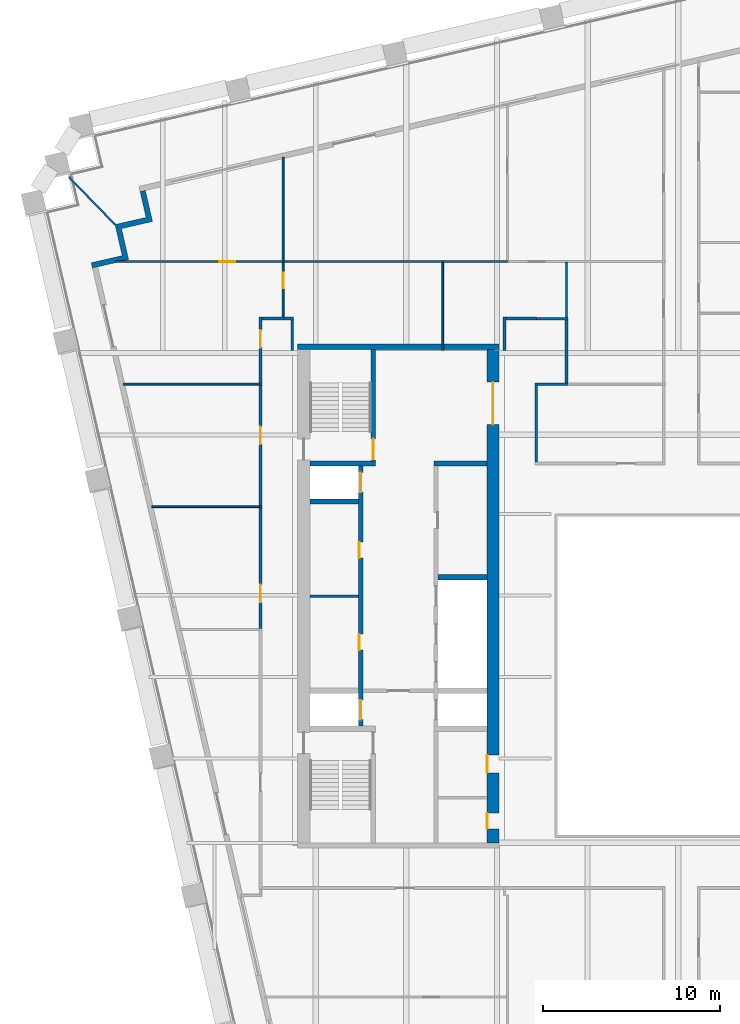
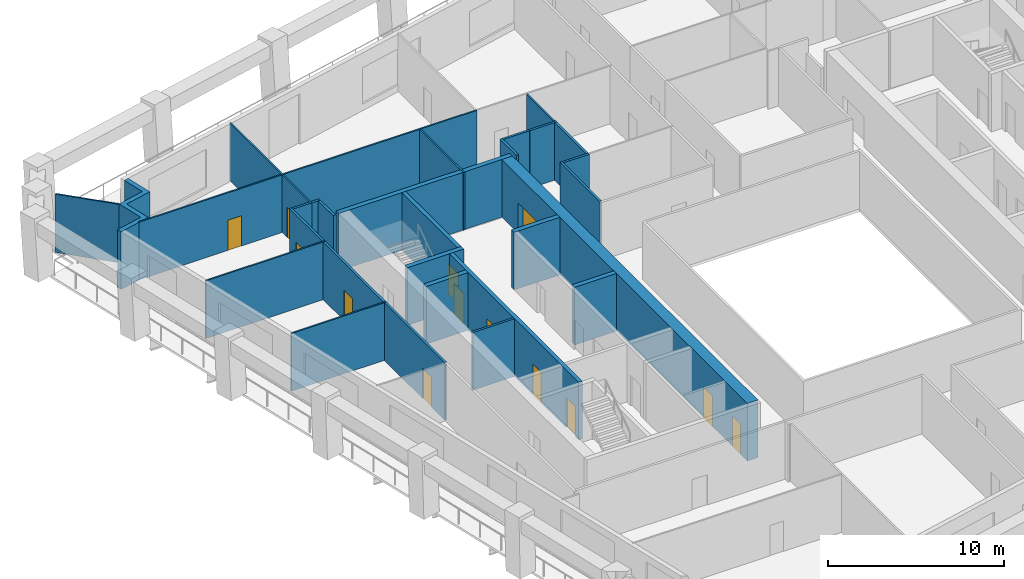
# One storey, part 6 of 11: 32 walls, 13 doors, 13 openings.
"""IFC4 building model written with IfcOpenShell, lengths in metres."""

import ifcopenshell
import ifcopenshell.guid

model = None  # the IFC model being written
_history = None  # IfcOwnerHistory: only IFC2X3 demands one
_inside = {}  # id of a spatial element -> (the spatial element, [elements in it])
_under = {}  # id of a project, library or spatial element -> (it, [spatial elements below it])
_declared = {}  # id of a project -> (the project, [libraries it declares])
_typed = {}  # id of a type object -> (the type object, [elements of that type])
_made_of = {}  # id of a material, layer set ... -> (it, [elements and type objects made of it])


def new_model(schema):
    """Start an empty IFC model of exactly this schema.

    Asked for "IFC4X3", IfcOpenShell would pick the latest addendum, in which some entities
    have other attributes; the version numbers below select the first issue.
    IFC2X3 requires an IfcOwnerHistory on every rooted entity: one is made here for all.
    """
    global model, _history
    if schema == "IFC4X3":
        model = ifcopenshell.file(schema_version=(4, 3, 0, 0))
    else:
        model = ifcopenshell.file(schema=schema)
    _inside.clear()
    _under.clear()
    _declared.clear()
    _typed.clear()
    _made_of.clear()
    _history = None
    if model.schema == "IFC2X3":
        org = make("IfcOrganization", Name="unknown")
        user = make(
            "IfcPersonAndOrganization",
            ThePerson=make("IfcPerson", FamilyName="unknown"),
            TheOrganization=org,
        )
        app = make(
            "IfcApplication",
            ApplicationDeveloper=org,
            Version="unknown",
            ApplicationFullName="unknown",
            ApplicationIdentifier="unknown",
        )
        _history = make(
            "IfcOwnerHistory",
            OwningUser=user,
            OwningApplication=app,
            ChangeAction="ADDED",
            CreationDate=0,
        )
    return model


def make(cls, **values):
    """One entity of the class cls with the attributes given. An attribute that is None is left unset."""
    return model.create_entity(
        cls, **{name: value for name, value in values.items() if value is not None}
    )


def rooted(cls, **values):
    """An entity with a GlobalId (a new one), such as an element, a storey or a relation."""
    return make(cls, GlobalId=ifcopenshell.guid.new(), OwnerHistory=_history, **values)


def si_unit(unit_type, name, prefix=None):
    """IfcSIUnit, for example si_unit("LENGTHUNIT", "METRE", prefix="MILLI")."""
    return make("IfcSIUnit", UnitType=unit_type, Prefix=prefix, Name=name)


def assignment(units):
    """IfcUnitAssignment: the units of a project."""
    return None if units is None else make("IfcUnitAssignment", Units=units)


def point(xyz):
    """IfcCartesianPoint."""
    return None if xyz is None else make("IfcCartesianPoint", Coordinates=xyz)


def direction(xyz):
    """IfcDirection."""
    return None if xyz is None else make("IfcDirection", DirectionRatios=xyz)


def frame(location, z_axis=None, x_axis=None):
    """IfcAxis2Placement3D, a coordinate frame: its origin and axes. An axis left out is left unset."""
    return make(
        "IfcAxis2Placement3D",
        Location=point(location),
        Axis=direction(z_axis),
        RefDirection=direction(x_axis),
    )


def frame_2d(location, x_axis=None):
    """IfcAxis2Placement2D, a coordinate frame in the plane: its origin and x axis."""
    return make(
        "IfcAxis2Placement2D", Location=point(location), RefDirection=direction(x_axis)
    )


def origin():
    """The frame at (0, 0, 0) with its axes left unset."""
    return frame((0.0, 0.0, 0.0))


def place(relative_to, where):
    """IfcLocalPlacement: puts the frame where relative to a parent placement (None: the world)."""
    return make(
        "IfcLocalPlacement", PlacementRelTo=relative_to, RelativePlacement=where
    )


def context(
    kind, dimensions, precision=None, world=None, true_north=None, identifier=None
):
    """IfcGeometricRepresentationContext, for example the 3D "Model" context."""
    return make(
        "IfcGeometricRepresentationContext",
        ContextIdentifier=identifier,
        ContextType=kind,
        CoordinateSpaceDimension=dimensions,
        Precision=precision,
        WorldCoordinateSystem=world,
        TrueNorth=true_north,
    )


def subcontext(parent, identifier, kind, view, scale=None):
    """IfcGeometricRepresentationSubContext, for example "Body" below "Model"."""
    return make(
        "IfcGeometricRepresentationSubContext",
        ContextIdentifier=identifier,
        ContextType=kind,
        ParentContext=parent,
        TargetScale=scale,
        TargetView=view,
    )


def project(units=None, contexts=None):
    """IfcProject with its units and contexts."""
    return rooted(
        "IfcProject",
        Name="project",
        RepresentationContexts=contexts,
        UnitsInContext=assignment(units),
    )


def spatial(cls, under=None, at=None, **own):
    """A site, building, storey or space (cls), placed at a placement, below another one or the project."""
    s = rooted(cls, ObjectPlacement=at, **own)
    if under is not None:
        _under.setdefault(under.id(), (under, []))[1].append(s)
    return s


def polyline(points):
    """IfcPolyline through the points."""
    return make("IfcPolyline", Points=[point(p) for p in points])


def profile(cls, at=None, kind="AREA", **sizes):
    """A parametric profile (cls). Its sizes go by their IFC names, for example OverallWidth=200.0."""
    return make(cls, ProfileType=kind, Position=at, **sizes)


def rectangle(**sizes):
    """IfcRectangleProfileDef."""
    return profile("IfcRectangleProfileDef", **sizes)


def outline(outer, holes=None, kind="AREA"):
    """IfcArbitraryClosedProfileDef: a profile drawn as a closed curve; with holes, ...WithVoids."""
    if holes is None:
        return make("IfcArbitraryClosedProfileDef", ProfileType=kind, OuterCurve=outer)
    return make(
        "IfcArbitraryProfileDefWithVoids",
        ProfileType=kind,
        OuterCurve=outer,
        InnerCurves=holes,
    )


def extrude(swept, where, along, depth):
    """IfcExtrudedAreaSolid: the profile swept, set in the frame where, extruded along a direction by depth."""
    return make(
        "IfcExtrudedAreaSolid",
        SweptArea=swept,
        Position=where,
        ExtrudedDirection=direction(along),
        Depth=depth,
    )


def shape(context_of_items, identifier, shape_type, items):
    """IfcShapeRepresentation: the items that make up one representation, for example the "Body"."""
    return make(
        "IfcShapeRepresentation",
        ContextOfItems=context_of_items,
        RepresentationIdentifier=identifier,
        RepresentationType=shape_type,
        Items=items,
    )


def material(Name=None, Category=None):
    """IfcMaterial."""
    return make("IfcMaterial", Name=Name, Category=Category)


def layer(
    of_material, thickness, ventilated=None, Name=None, Category=None, Priority=None
):
    """IfcMaterialLayer: one layer of a wall or slab, of a material (None: an air gap)."""
    return make(
        "IfcMaterialLayer",
        Material=of_material,
        LayerThickness=thickness,
        IsVentilated=ventilated,
        Name=Name,
        Category=Category,
        Priority=Priority,
    )


def layer_set(layers, Name=None):
    """IfcMaterialLayerSet."""
    return make("IfcMaterialLayerSet", MaterialLayers=layers, LayerSetName=Name)


def made_of(thing, what):
    """Note that an element or type object is made of a material, layer set ...; save() writes the relation."""
    if what is not None:
        _made_of.setdefault(what.id(), (what, []))[1].append(thing)
    return thing


def type_object(cls, material=None, **own):
    """A type object (cls), such as IfcWallType, which elements share."""
    return made_of(rooted(cls, **own), material)


def element(
    cls,
    number,
    at=None,
    inside=None,
    cuts=None,
    type_object=None,
    material=None,
    context=None,
    identifier="Body",
    shape_type=None,
    held_by="IfcProductDefinitionShape",
    body=None,
    shapes=None,
    **own,
):
    """One element of the class cls, such as IfcWall. Its Tag is "e" and its number.

    at: its placement. inside: the storey or other place that contains it. cuts: it is an
    opening in that element (IfcRelVoidsElement). A single representation is given by context,
    identifier, shape_type and body (its items); several are given by shapes. held_by: the class
    of the entity that holds the representations. save() writes the other relations.
    """
    e = rooted(cls, Tag="e%d" % number, ObjectPlacement=at, **own)
    if body is not None:
        shapes = [shape(context, identifier, shape_type, body)]
    if shapes is not None:
        e.Representation = make(held_by, Representations=shapes)
    if inside is not None:
        _inside.setdefault(inside.id(), (inside, []))[1].append(e)
    if cuts is not None:
        rooted(
            "IfcRelVoidsElement", RelatingBuildingElement=cuts, RelatedOpeningElement=e
        )
    if type_object is not None:
        _typed.setdefault(type_object.id(), (type_object, []))[1].append(e)
    return made_of(e, material)


def fill(opening, filler):
    """IfcRelFillsElement: the door or window that sits in an opening."""
    return rooted(
        "IfcRelFillsElement",
        RelatingOpeningElement=opening,
        RelatedBuildingElement=filler,
    )


def aggregate(whole, parts):
    """IfcRelAggregates: a whole, such as a stair, and the parts it consists of."""
    return rooted("IfcRelAggregates", RelatingObject=whole, RelatedObjects=parts)


def save(model, path):
    """Write the relations noted so far, then the file.

    IfcRelAggregates (storeys below a building ...), IfcRelContainedInSpatialStructure (elements
    in a storey), IfcRelDefinesByType, IfcRelAssociatesMaterial and IfcRelDeclares: one each for
    every whole, place, type object, material and project.
    """
    for whole, parts in _under.values():
        aggregate(whole, parts)
    for where, things in _inside.values():
        rooted(
            "IfcRelContainedInSpatialStructure",
            RelatedElements=things,
            RelatingStructure=where,
        )
    for kind, things in _typed.values():
        rooted("IfcRelDefinesByType", RelatedObjects=things, RelatingType=kind)
    for what, things in _made_of.values():
        rooted("IfcRelAssociatesMaterial", RelatedObjects=things, RelatingMaterial=what)
    for by, libraries in _declared.values():
        rooted("IfcRelDeclares", RelatingContext=by, RelatedDefinitions=libraries)
    model.write(path)


model = new_model("IFC4")

# Units and contexts
model_context = context("Model", 3, precision=1e-05, world=origin(), true_north=direction((0.0, 1.0)))
body_context = subcontext(model_context, "Body", "Model", "MODEL_VIEW")
ifc_project = project(units=[si_unit("LENGTHUNIT", "METRE"), si_unit("AREAUNIT", "SQUARE_METRE"), si_unit("VOLUMEUNIT", "CUBIC_METRE"), si_unit("PLANEANGLEUNIT", "RADIAN"), si_unit("MASSUNIT", "GRAM", prefix="KILO")], contexts=[model_context])

# Site, building, storey
site_placement = place(None, origin())
site = spatial("IfcSite", under=ifc_project, at=site_placement, CompositionType="ELEMENT")
building_placement = place(site_placement, origin())
building = spatial("IfcBuilding", under=site, at=building_placement, Name="Ogive Exchange Tower", CompositionType="ELEMENT")
storey_placement = place(building_placement, frame((0.0, 0.0, 184.199951171875)))
storey = spatial("IfcBuildingStorey", under=building, at=storey_placement, Name="L40", CompositionType="ELEMENT", Elevation=184.199951171875)

# Walls
ifc_material_1 = material(Name="Gypsum board partition")
ifc_layer_1 = layer(ifc_material_1, 0.14990234375)
ifc_layer_set_1 = layer_set([ifc_layer_1], Name="Core room partition 150 gypsum")
wall_type_1 = type_object("IfcWallType", Name="Core room partition 150 gypsum", PredefinedType="PARTITIONING", material=ifc_layer_set_1)
wall_1_placement = place(storey_placement, frame((-21.0, 11.5, 0.0), z_axis=(0.0, 0.0, 1.0), x_axis=(1.0, 0.0, 0.0)))
element("IfcWall", 1, at=wall_1_placement, inside=storey, type_object=wall_type_1, Name="W row A bay partition 1-1", PredefinedType="PARTITIONING", context=body_context, shape_type="SweptSolid", body=[
    extrude(rectangle(XDim=2.75, YDim=0.14990234375, at=frame_2d((1.375, 0.0))), origin(), (0.0, 0.0, 1.0), 4.0),
])
ifc_layer_2 = layer(ifc_material_1, 0.300048828125)
ifc_layer_set_2 = layer_set([ifc_layer_2], Name="Core room partition 300 gypsum")
wall_type_2 = type_object("IfcWallType", Name="Core room partition 300 gypsum", PredefinedType="PARTITIONING", material=ifc_layer_set_2)
wall_2_placement = place(storey_placement, frame((-14.0, 19.0, 0.0), z_axis=(0.0, 0.0, 1.0), x_axis=(1.0, 0.0, 0.0)))
element("IfcWall", 2, at=wall_2_placement, inside=storey, type_object=wall_type_2, Name="W row B room end wall 7", PredefinedType="PARTITIONING", context=body_context, shape_type="SweptSolid", body=[
    extrude(rectangle(XDim=3.0, YDim=0.300048828125, at=frame_2d((1.5, 0.0))), origin(), (0.0, 0.0, 1.0), 4.0),
])

# Wall, opening, door
ifc_material_2 = material(Name="Fire partition EI 60 150")
ifc_layer_3 = layer(ifc_material_2, 0.14990234375)
ifc_layer_set_3 = layer_set([ifc_layer_3], Name="Fire partition EI 60 150")
wall_type_3 = type_object("IfcWallType", Name="Fire partition EI 60 150", PredefinedType="PARTITIONING", material=ifc_layer_set_3)
wall_3_placement = place(storey_placement, frame((-23.800048828125, 9.669921875, 0.0), z_axis=(0.0, 0.0, 1.0), x_axis=(0.0, 1.0, 0.0)))
wall_3 = element("IfcWall", 3, at=wall_3_placement, inside=storey, type_object=wall_type_3, Name="L40-PWL-005", PredefinedType="PARTITIONING", context=body_context, shape_type="SweptSolid", body=[
    extrude(rectangle(XDim=6.830078125, YDim=0.14990234375, at=frame_2d((3.4150390625, 0.0))), origin(), (0.0, 0.0, 1.0), 4.0),
])
opening_1_placement = place(wall_3_placement, frame((1.47998046875, 0.0, 0.0)))
opening_1 = element("IfcOpeningElement", 4, at=opening_1_placement, cuts=wall_3, Name="Opening L40-I01", PredefinedType="OPENING", context=body_context, shape_type="SweptSolid", body=[
    extrude(rectangle(XDim=1.0, YDim=2.10009765625, at=frame_2d((0.5, 1.050048828125))), frame((0.0, 0.0849609375, 0.0), z_axis=(0.0, -1.0, 0.0), x_axis=(1.0, 0.0, 0.0)), (0.0, 0.0, 1.0), 0.169921875),
])
ifc_material_3 = material(Name="Fire door FD 30S 1000 x 2100")
door_type_1 = type_object("IfcDoorType", Name="Fire door FD 30S 1000 x 2100", OperationType="NOTDEFINED", PredefinedType="DOOR", material=ifc_material_3)
door_1_placement = place(opening_1_placement, origin())
door_1 = element("IfcDoor", 5, at=door_1_placement, inside=storey, type_object=door_type_1, Name="L40-IDR-001", ObjectType="DT3", OperationType="SINGLE_SWING_RIGHT", OverallHeight=2.10009765625, OverallWidth=1.0, PredefinedType="DOOR", context=body_context, shape_type="SweptSolid", body=[
    extrude(rectangle(XDim=1.0, YDim=2.10009765625, at=frame_2d((0.5, 1.050048828125))), frame((0.0, 0.02490234375, 0.0), z_axis=(0.0, -1.0, 0.0), x_axis=(1.0, 0.0, 0.0)), (0.0, 0.0, 1.0), 0.050048828125),
])
fill(opening_1, door_1)

wall_4_placement = place(storey_placement, frame((-23.800048828125, 16.60009765625, 0.0), z_axis=(0.0, 0.0, 1.0), x_axis=(0.0, 1.0, 0.0)))
wall_4 = element("IfcWall", 6, at=wall_4_placement, inside=storey, type_object=wall_type_3, Name="L40-PWL-006", PredefinedType="PARTITIONING", context=body_context, shape_type="SweptSolid", body=[
    extrude(rectangle(XDim=6.83984375, YDim=0.14990234375, at=frame_2d((3.419921875, 0.0))), origin(), (0.0, 0.0, 1.0), 4.0),
])
opening_2_placement = place(wall_4_placement, frame((3.489990234375, 0.0, 0.0)))
opening_2 = element("IfcOpeningElement", 7, at=opening_2_placement, cuts=wall_4, Name="Opening L40-I02", PredefinedType="OPENING", context=body_context, shape_type="SweptSolid", body=[
    extrude(rectangle(XDim=1.0, YDim=2.10009765625, at=frame_2d((0.5, 1.050048828125))), frame((0.0, 0.0849609375, 0.0), z_axis=(0.0, -1.0, 0.0), x_axis=(1.0, 0.0, 0.0)), (0.0, 0.0, 1.0), 0.169921875),
])
door_2_placement = place(opening_2_placement, origin())
door_2 = element("IfcDoor", 8, at=door_2_placement, inside=storey, type_object=door_type_1, Name="L40-IDR-002", ObjectType="DT3", OperationType="SINGLE_SWING_LEFT", OverallHeight=2.10009765625, OverallWidth=1.0, PredefinedType="DOOR", context=body_context, shape_type="SweptSolid", body=[
    extrude(rectangle(XDim=1.0, YDim=2.10009765625, at=frame_2d((0.5, 1.050048828125))), frame((0.0, 0.02490234375, 0.0), z_axis=(0.0, -1.0, 0.0), x_axis=(1.0, 0.0, 0.0)), (0.0, 0.0, 1.0), 0.050048828125),
])
fill(opening_2, door_2)

wall_5_placement = place(storey_placement, frame((-23.800048828125, 23.5400390625, 0.0), z_axis=(0.0, 0.0, 1.0), x_axis=(0.0, 1.0, 0.0)))
wall_5 = element("IfcWall", 9, at=wall_5_placement, inside=storey, type_object=wall_type_3, Name="L40-PWL-007", PredefinedType="PARTITIONING", context=body_context, shape_type="SweptSolid", body=[
    extrude(rectangle(XDim=3.73486328125, YDim=0.14990234375, at=frame_2d((1.867431640625, 0.0))), origin(), (0.0, 0.0, 1.0), 4.0),
])
opening_3_placement = place(wall_5_placement, frame((2.010009765625, 0.0, 0.0)))
opening_3 = element("IfcOpeningElement", 10, at=opening_3_placement, cuts=wall_5, Name="Opening L40-I10", PredefinedType="OPENING", context=body_context, shape_type="SweptSolid", body=[
    extrude(rectangle(XDim=1.0, YDim=2.10009765625, at=frame_2d((0.5, 1.050048828125))), frame((0.0, 0.0849609375, 0.0), z_axis=(0.0, -1.0, 0.0), x_axis=(1.0, 0.0, 0.0)), (0.0, 0.0, 1.0), 0.169921875),
])
door_3_placement = place(opening_3_placement, origin())
door_3 = element("IfcDoor", 11, at=door_3_placement, inside=storey, type_object=door_type_1, Name="L40-IDR-010", ObjectType="DT3", OperationType="SINGLE_SWING_RIGHT", OverallHeight=2.10009765625, OverallWidth=1.0, PredefinedType="DOOR", context=body_context, shape_type="SweptSolid", body=[
    extrude(rectangle(XDim=1.0, YDim=2.10009765625, at=frame_2d((0.5, 1.050048828125))), frame((0.0, 0.02490234375, 0.0), z_axis=(0.0, -1.0, 0.0), x_axis=(1.0, 0.0, 0.0)), (0.0, 0.0, 1.0), 0.050048828125),
])
fill(opening_3, door_3)

# Walls
wall_6_placement = place(storey_placement, frame((-23.72509765625, 27.199951171875, 0.0), z_axis=(0.0, 0.0, 1.0), x_axis=(1.0, 0.0, 0.0)))
element("IfcWall", 12, at=wall_6_placement, inside=storey, type_object=wall_type_3, Name="L40-PWL-008", PredefinedType="PARTITIONING", context=body_context, shape_type="SweptSolid", body=[
    extrude(rectangle(XDim=1.255126953125, YDim=0.14990234375, at=frame_2d((0.62744140625, 0.0))), origin(), (0.0, 0.0, 1.0), 4.0),
])
wall_7_placement = place(storey_placement, frame((-22.469970703125, 27.199951171875, 0.0), z_axis=(0.0, 0.0, 1.0), x_axis=(1.0, 0.0, 0.0)))
element("IfcWall", 13, at=wall_7_placement, inside=storey, type_object=wall_type_3, Name="L40-PWL-012", PredefinedType="PARTITIONING", context=body_context, shape_type="SweptSolid", body=[
    extrude(rectangle(XDim=0.544921875, YDim=0.14990234375, at=frame_2d((0.2724609375, 0.0))), origin(), (0.0, 0.0, 1.0), 4.0),
])
wall_8_placement = place(storey_placement, frame((-22.0, 27.125, 0.0), z_axis=(0.0, 0.0, 1.0), x_axis=(0.0, -1.0, 0.0)))
element("IfcWall", 14, at=wall_8_placement, inside=storey, type_object=wall_type_3, Name="L40-PWL-016", PredefinedType="PARTITIONING", context=body_context, shape_type="SweptSolid", body=[
    extrude(rectangle(XDim=1.72509765625, YDim=0.14990234375, at=frame_2d((0.862548828125, 0.0))), origin(), (0.0, 0.0, 1.0), 4.0),
])
wall_9_placement = place(storey_placement, frame((-10.0, 25.39990234375, 0.0), z_axis=(0.0, 0.0, 1.0), x_axis=(0.0, 1.0, 0.0)))
element("IfcWall", 15, at=wall_9_placement, inside=storey, type_object=wall_type_3, Name="L40-PWL-021", PredefinedType="PARTITIONING", context=body_context, shape_type="SweptSolid", body=[
    extrude(rectangle(XDim=1.875, YDim=0.14990234375, at=frame_2d((0.9375, 0.0))), origin(), (0.0, 0.0, 1.0), 4.0),
])
wall_10_placement = place(storey_placement, frame((-9.925048828125, 27.199951171875, 0.0), z_axis=(0.0, 0.0, 1.0), x_axis=(1.0, 0.0, 0.0)))
element("IfcWall", 16, at=wall_10_placement, inside=storey, type_object=wall_type_3, Name="L40-PWL-022", PredefinedType="PARTITIONING", context=body_context, shape_type="SweptSolid", body=[
    extrude(rectangle(XDim=1.72509765625, YDim=0.14990234375, at=frame_2d((0.862548828125, 0.0))), origin(), (0.0, 0.0, 1.0), 4.0),
])
wall_11_placement = place(storey_placement, frame((-8.199951171875, 23.56494140625, 0.0), z_axis=(0.0, 0.0, 1.0), x_axis=(0.0, -1.0, 0.0)))
element("IfcWall", 17, at=wall_11_placement, inside=storey, type_object=wall_type_3, Name="L40-PWL-029", PredefinedType="PARTITIONING", context=body_context, shape_type="SweptSolid", body=[
    extrude(rectangle(XDim=4.489990234375, YDim=0.14990234375, at=frame_2d((2.2451171875, 0.0))), origin(), (0.0, 0.0, 1.0), 4.0),
])
wall_12_placement = place(storey_placement, frame((-8.199951171875, 27.18994140625, 0.0), z_axis=(0.0, 0.0, 1.0), x_axis=(1.0, 0.0, 0.0)))
element("IfcWall", 18, at=wall_12_placement, inside=storey, type_object=wall_type_3, Name="L40-PWL-030", PredefinedType="PARTITIONING", context=body_context, shape_type="SweptSolid", body=[
    extrude(rectangle(XDim=1.77490234375, YDim=0.14990234375, at=frame_2d((0.887451171875, 0.0))), origin(), (0.0, 0.0, 1.0), 4.0),
])
wall_13_placement = place(storey_placement, frame((-6.425048828125, 23.489990234375, 0.0), z_axis=(0.0, 0.0, 1.0), x_axis=(-1.0, 0.0, 0.0)))
element("IfcWall", 19, at=wall_13_placement, inside=storey, type_object=wall_type_3, Name="L40-PWL-031", PredefinedType="PARTITIONING", context=body_context, shape_type="SweptSolid", body=[
    extrude(rectangle(XDim=1.699951171875, YDim=0.14990234375, at=frame_2d((0.85009765625, 0.0))), origin(), (0.0, 0.0, 1.0), 4.0),
])
wall_14_placement = place(storey_placement, frame((-6.5, 27.114990234375, 0.0), z_axis=(0.0, 0.0, 1.0), x_axis=(0.0, -1.0, 0.0)))
element("IfcWall", 20, at=wall_14_placement, inside=storey, type_object=wall_type_3, Name="L40-PWL-033", PredefinedType="PARTITIONING", context=body_context, shape_type="SweptSolid", body=[
    extrude(rectangle(XDim=3.550048828125, YDim=0.14990234375, at=frame_2d((1.77490234375, 0.0))), origin(), (0.0, 0.0, 1.0), 4.0),
])
ifc_material_4 = material(Name="Precast concrete C40/50", Category="concrete")
ifc_layer_4 = layer(ifc_material_4, 0.300048828125)
ifc_layer_set_4 = layer_set([ifc_layer_4], Name="Limestone-faced wall 300")
wall_type_4 = type_object("IfcWallType", Name="Limestone-faced wall 300", PredefinedType="STANDARD", material=ifc_layer_set_4)
wall_15_placement = place(storey_placement, origin())
element("IfcWall", 21, at=wall_15_placement, inside=storey, type_object=wall_type_4, Name="External corner wall C3", PredefinedType="STANDARD", context=body_context, shape_type="SweptSolid", body=[
    extrude(outline(polyline([(-31.616943359375, 30.755615234375), (-32.02197265625, 32.509521484375), (-30.26806640625, 32.914306640625), (-30.60546875, 34.3759765625), (-30.31298828125, 34.443359375), (-29.908203125, 32.689697265625), (-31.662109375, 32.28466796875), (-31.257080078125, 30.53076171875), (-33.30322265625, 30.058349609375), (-33.370849609375, 30.3505859375), (-31.616943359375, 30.755615234375)])), origin(), (0.0, 0.0, 1.0), 4.0),
])
ifc_material_5 = material(Name="Laminated safety glass in steel frame", Category="steel")
ifc_layer_5 = layer(ifc_material_5, 0.10009765625)
ifc_layer_set_5 = layer_set([ifc_layer_5], Name="Loggia end screen 100")
wall_type_5 = type_object("IfcWallType", Name="Loggia end screen 100", PredefinedType="STANDARD", material=ifc_layer_set_5)
wall_16_placement = place(storey_placement, frame((-32.02197265625, 32.509521484375, -0.050048828125), z_axis=(0.0, 0.0, 1.0), x_axis=(-0.697147845633, 0.716927389161, 0.0)))
element("IfcWall", 22, at=wall_16_placement, inside=storey, type_object=wall_type_5, Name="Loggia end screen C3", PredefinedType="STANDARD", context=body_context, shape_type="SweptSolid", body=[
    extrude(rectangle(XDim=3.7646484375, YDim=0.10009765625, at=frame_2d((1.88232421875, 0.0))), origin(), (0.0, 0.0, 1.0), 4.050048828125),
])
ifc_material_6 = material(Name="Partition 100 gypsum")
ifc_layer_6 = layer(ifc_material_6, 0.10009765625)
ifc_layer_set_6 = layer_set([ifc_layer_6], Name="Partition 100 gypsum")
wall_type_6 = type_object("IfcWallType", Name="Partition 100 gypsum", PredefinedType="PARTITIONING", material=ifc_layer_set_6)
wall_17_placement = place(storey_placement, frame((-31.56201171875, 23.489990234375, 0.0), z_axis=(0.0, 0.0, 1.0), x_axis=(1.0, 0.0, 0.0)))
element("IfcWall", 23, at=wall_17_placement, inside=storey, type_object=wall_type_6, Name="L40-PWL-001", PredefinedType="PARTITIONING", context=body_context, shape_type="SweptSolid", body=[
    extrude(rectangle(XDim=7.8369140625, YDim=0.10009765625, at=frame_2d((3.91845703125, 0.0))), origin(), (0.0, 0.0, 1.0), 4.0),
])
wall_18_placement = place(storey_placement, frame((-29.958984375, 16.550048828125, 0.0), z_axis=(0.0, 0.0, 1.0), x_axis=(1.0, 0.0, 0.0)))
element("IfcWall", 24, at=wall_18_placement, inside=storey, type_object=wall_type_6, Name="L40-PWL-002", PredefinedType="PARTITIONING", context=body_context, shape_type="SweptSolid", body=[
    extrude(rectangle(XDim=6.23388671875, YDim=0.10009765625, at=frame_2d((3.116943359375, 0.0))), origin(), (0.0, 0.0, 1.0), 4.0),
])

# Wall, opening, door
wall_19_placement = place(storey_placement, frame((-22.52001953125, 27.27490234375, 0.0), z_axis=(0.0, 0.0, 1.0), x_axis=(0.0, 1.0, 0.0)))
wall_19 = element("IfcWall", 25, at=wall_19_placement, inside=storey, type_object=wall_type_6, Name="L40-PWL-011", PredefinedType="PARTITIONING", context=body_context, shape_type="SweptSolid", body=[
    extrude(rectangle(XDim=3.09521484375, YDim=0.10009765625, at=frame_2d((1.547607421875, 0.0))), origin(), (0.0, 0.0, 1.0), 4.0),
])
opening_4_placement = place(wall_19_placement, frame((1.625, 0.0, 0.0)))
opening_4 = element("IfcOpeningElement", 26, at=opening_4_placement, cuts=wall_19, Name="Opening L40-I04", PredefinedType="OPENING", context=body_context, shape_type="SweptSolid", body=[
    extrude(rectangle(XDim=0.89990234375, YDim=2.10009765625, at=frame_2d((0.449951171875, 1.050048828125))), frame((0.0, 0.06005859375, 0.0), z_axis=(0.0, -1.0, 0.0), x_axis=(1.0, 0.0, 0.0)), (0.0, 0.0, 1.0), 0.1201171875),
])
ifc_material_7 = material(Name="Door 900 x 2100")
door_type_2 = type_object("IfcDoorType", Name="Door 900 x 2100", OperationType="NOTDEFINED", PredefinedType="DOOR", material=ifc_material_7)
door_4_placement = place(opening_4_placement, frame((0.89990234375, 0.0, 0.0), z_axis=(0.0, 0.0, 1.0), x_axis=(-1.0, 0.0, 0.0)))
door_4 = element("IfcDoor", 27, at=door_4_placement, inside=storey, type_object=door_type_2, Name="L40-IDR-004", ObjectType="DT1", OperationType="SINGLE_SWING_RIGHT", OverallHeight=2.10009765625, OverallWidth=0.89990234375, PredefinedType="DOOR", context=body_context, shape_type="SweptSolid", body=[
    extrude(rectangle(XDim=0.89990234375, YDim=2.10009765625, at=frame_2d((0.449951171875, 1.050048828125))), frame((0.0, 0.02490234375, 0.0), z_axis=(0.0, -1.0, 0.0), x_axis=(1.0, 0.0, 0.0)), (0.0, 0.0, 1.0), 0.050048828125),
])
fill(opening_4, door_4)

wall_20_placement = place(storey_placement, frame((-22.570068359375, 30.419921875, 0.0), z_axis=(0.0, 0.0, 1.0), x_axis=(-1.0, 0.0, 0.0)))
wall_20 = element("IfcWall", 28, at=wall_20_placement, inside=storey, type_object=wall_type_6, Name="L40-PWL-013", PredefinedType="PARTITIONING", context=body_context, shape_type="SweptSolid", body=[
    extrude(rectangle(XDim=9.411865234375, YDim=0.10009765625, at=frame_2d((4.7060546875, 0.0))), origin(), (0.0, 0.0, 1.0), 4.0),
])
opening_5_placement = place(wall_20_placement, frame((2.64990234375, 0.0, 0.0)))
opening_5 = element("IfcOpeningElement", 29, at=opening_5_placement, cuts=wall_20, Name="Opening L40-I09", PredefinedType="OPENING", context=body_context, shape_type="SweptSolid", body=[
    extrude(rectangle(XDim=0.89990234375, YDim=2.10009765625, at=frame_2d((0.449951171875, 1.050048828125))), frame((0.0, 0.06005859375, 0.0), z_axis=(0.0, -1.0, 0.0), x_axis=(1.0, 0.0, 0.0)), (0.0, 0.0, 1.0), 0.1201171875),
])
door_5_placement = place(opening_5_placement, frame((0.89990234375, 0.0, 0.0), z_axis=(0.0, 0.0, 1.0), x_axis=(-1.0, 0.0, 0.0)))
door_5 = element("IfcDoor", 30, at=door_5_placement, inside=storey, type_object=door_type_2, Name="L40-IDR-009", ObjectType="DT1", OperationType="SINGLE_SWING_LEFT", OverallHeight=2.10009765625, OverallWidth=0.89990234375, PredefinedType="DOOR", context=body_context, shape_type="SweptSolid", body=[
    extrude(rectangle(XDim=0.89990234375, YDim=2.10009765625, at=frame_2d((0.449951171875, 1.050048828125))), frame((0.0, 0.02490234375, 0.0), z_axis=(0.0, -1.0, 0.0), x_axis=(1.0, 0.0, 0.0)), (0.0, 0.0, 1.0), 0.050048828125),
])
fill(opening_5, door_5)

# Walls
wall_21_placement = place(storey_placement, frame((-22.52001953125, 30.3701171875, 0.0), z_axis=(0.0, 0.0, 1.0), x_axis=(0.0, 1.0, 0.0)))
element("IfcWall", 31, at=wall_21_placement, inside=storey, type_object=wall_type_6, Name="L40-PWL-014", PredefinedType="PARTITIONING", context=body_context, shape_type="SweptSolid", body=[
    extrude(rectangle(XDim=5.954833984375, YDim=0.10009765625, at=frame_2d((2.9775390625, 0.0))), origin(), (0.0, 0.0, 1.0), 4.0),
])
wall_22_placement = place(storey_placement, frame((-22.469970703125, 30.419921875, 0.0), z_axis=(0.0, 0.0, 1.0), x_axis=(1.0, 0.0, 0.0)))
element("IfcWall", 32, at=wall_22_placement, inside=storey, type_object=wall_type_6, Name="L40-PWL-015", PredefinedType="PARTITIONING", context=body_context, shape_type="SweptSolid", body=[
    extrude(rectangle(XDim=9.02001953125, YDim=0.10009765625, at=frame_2d((4.510009765625, 0.0))), origin(), (0.0, 0.0, 1.0), 4.0),
])
wall_23_placement = place(storey_placement, frame((-13.5, 30.3701171875, 0.0), z_axis=(0.0, 0.0, 1.0), x_axis=(0.0, -1.0, 0.0)))
element("IfcWall", 33, at=wall_23_placement, inside=storey, type_object=wall_type_6, Name="L40-PWL-017", PredefinedType="PARTITIONING", context=body_context, shape_type="SweptSolid", body=[
    extrude(rectangle(XDim=4.97021484375, YDim=0.10009765625, at=frame_2d((2.485107421875, 0.0))), origin(), (0.0, 0.0, 1.0), 4.0),
])
wall_24_placement = place(storey_placement, frame((-13.449951171875, 30.419921875, 0.0), z_axis=(0.0, 0.0, 1.0), x_axis=(1.0, 0.0, 0.0)))
element("IfcWall", 34, at=wall_24_placement, inside=storey, type_object=wall_type_6, Name="L40-PWL-018", PredefinedType="PARTITIONING", context=body_context, shape_type="SweptSolid", body=[
    extrude(rectangle(XDim=3.669921875, YDim=0.10009765625, at=frame_2d((1.8349609375, 0.0))), origin(), (0.0, 0.0, 1.0), 4.0),
])
wall_25_placement = place(storey_placement, frame((-6.5, 30.3701171875, 0.0), z_axis=(0.0, 0.0, 1.0), x_axis=(0.0, -1.0, 0.0)))
element("IfcWall", 35, at=wall_25_placement, inside=storey, type_object=wall_type_6, Name="L40-PWL-034", PredefinedType="PARTITIONING", context=body_context, shape_type="SweptSolid", body=[
    extrude(rectangle(XDim=3.105224609375, YDim=0.10009765625, at=frame_2d((1.552734375, 0.0))), origin(), (0.0, 0.0, 1.0), 4.0),
])

# Wall, opening, door
ifc_material_8 = material(Name="Concrete C70/85", Category="concrete")
ifc_layer_7 = layer(ifc_material_8, 0.25)
ifc_layer_set_7 = layer_set([ifc_layer_7], Name="RC core wall 250 C70/85")
wall_type_7 = type_object("IfcWallType", Name="RC core wall 250 C70/85", PredefinedType="SHEAR", material=ifc_layer_set_7)
wall_26_placement = place(storey_placement, frame((-17.425048828125, 19.14990234375, 0.0), z_axis=(0.0, 0.0, 1.0), x_axis=(0.0, 1.0, 0.0)))
wall_26 = element("IfcWall", 36, at=wall_26_placement, inside=storey, type_object=wall_type_7, Name="W stair N front wall", PredefinedType="SHEAR", context=body_context, shape_type="SweptSolid", body=[
    extrude(rectangle(XDim=6.300048828125, YDim=0.25, at=frame_2d((3.14990234375, 0.0))), origin(), (0.0, 0.0, 1.0), 4.0),
])
opening_6_placement = place(wall_26_placement, frame((0.050048828125, 0.0, 0.0)))
opening_6 = element("IfcOpeningElement", 37, at=opening_6_placement, cuts=wall_26, Name="Opening L40-C14", PredefinedType="OPENING", context=body_context, shape_type="SweptSolid", body=[
    extrude(rectangle(XDim=1.199951171875, YDim=2.10009765625, at=frame_2d((0.60009765625, 1.050048828125))), frame((0.0, 0.135009765625, 0.0), z_axis=(0.0, -1.0, 0.0), x_axis=(1.0, 0.0, 0.0)), (0.0, 0.0, 1.0), 0.27001953125),
])
ifc_material_9 = material(Name="Steel fire door", Category="steel")
door_type_3 = type_object("IfcDoorType", Name="Stair door FD90 1200 x 2100", OperationType="NOTDEFINED", PredefinedType="DOOR", material=ifc_material_9)
door_6_placement = place(opening_6_placement, origin())
door_6 = element("IfcDoor", 38, at=door_6_placement, inside=storey, type_object=door_type_3, Name="Stair door", ObjectType="CD5", OperationType="SINGLE_SWING_RIGHT", OverallHeight=2.10009765625, OverallWidth=1.199951171875, PredefinedType="DOOR", context=body_context, shape_type="SweptSolid", body=[
    extrude(rectangle(XDim=1.199951171875, YDim=2.10009765625, at=frame_2d((0.60009765625, 1.050048828125))), frame((0.0, 0.02490234375, 0.0), z_axis=(0.0, -1.0, 0.0), x_axis=(1.0, 0.0, 0.0)), (0.0, 0.0, 1.0), 0.050048828125),
])
fill(opening_6, door_6)

# Wall, openings, doors
wall_27_placement = place(storey_placement, frame((-18.125, 4.14990234375, 0.0), z_axis=(0.0, 0.0, 1.0), x_axis=(0.0, 1.0, 0.0)))
wall_27 = element("IfcWall", 39, at=wall_27_placement, inside=storey, type_object=wall_type_7, Name="W row A front wall", PredefinedType="SHEAR", context=body_context, shape_type="SweptSolid", body=[
    extrude(rectangle(XDim=14.7001953125, YDim=0.25, at=frame_2d((7.35009765625, 0.0))), origin(), (0.0, 0.0, 1.0), 4.0),
])
opening_7_placement = place(wall_27_placement, frame((4.29638671875, 0.0, 0.0)))
opening_7 = element("IfcOpeningElement", 40, at=opening_7_placement, cuts=wall_27, Name="Opening L40-C01", PredefinedType="OPENING", context=body_context, shape_type="SweptSolid", body=[
    extrude(rectangle(XDim=0.89990234375, YDim=2.10009765625, at=frame_2d((0.449951171875, 1.050048828125))), frame((0.0, 0.135009765625, 0.0), z_axis=(0.0, -1.0, 0.0), x_axis=(1.0, 0.0, 0.0)), (0.0, 0.0, 1.0), 0.27001953125),
])
opening_8_placement = place(wall_27_placement, frame((9.503662109375, 0.0, 0.0)))
opening_8 = element("IfcOpeningElement", 41, at=opening_8_placement, cuts=wall_27, Name="Opening L40-C02", PredefinedType="OPENING", context=body_context, shape_type="SweptSolid", body=[
    extrude(rectangle(XDim=0.89990234375, YDim=2.10009765625, at=frame_2d((0.449951171875, 1.050048828125))), frame((0.0, 0.135009765625, 0.0), z_axis=(0.0, -1.0, 0.0), x_axis=(1.0, 0.0, 0.0)), (0.0, 0.0, 1.0), 0.27001953125),
])
opening_9_placement = place(wall_27_placement, frame((0.371337890625, 0.0, 0.0)))
opening_9 = element("IfcOpeningElement", 42, at=opening_9_placement, cuts=wall_27, Name="Opening L40-C03", PredefinedType="OPENING", context=body_context, shape_type="SweptSolid", body=[
    extrude(rectangle(XDim=1.10009765625, YDim=2.10009765625, at=frame_2d((0.550048828125, 1.050048828125))), frame((0.0, 0.135009765625, 0.0), z_axis=(0.0, -1.0, 0.0), x_axis=(1.0, 0.0, 0.0)), (0.0, 0.0, 1.0), 0.27001953125),
])
opening_10_placement = place(wall_27_placement, frame((13.228515625, 0.0, 0.0)))
opening_10 = element("IfcOpeningElement", 43, at=opening_10_placement, cuts=wall_27, Name="Opening L40-C04", PredefinedType="OPENING", context=body_context, shape_type="SweptSolid", body=[
    extrude(rectangle(XDim=1.10009765625, YDim=2.10009765625, at=frame_2d((0.550048828125, 1.050048828125))), frame((0.0, 0.135009765625, 0.0), z_axis=(0.0, -1.0, 0.0), x_axis=(1.0, 0.0, 0.0)), (0.0, 0.0, 1.0), 0.27001953125),
])
ifc_material_10 = material(Name="Timber fire door", Category="wood")
door_type_4 = type_object("IfcDoorType", Name="Core room door FD30S 900 x 2100", OperationType="NOTDEFINED", PredefinedType="DOOR", material=ifc_material_10)
door_7_placement = place(opening_8_placement, origin())
door_7 = element("IfcDoor", 44, at=door_7_placement, inside=storey, type_object=door_type_4, Name="Core room door", ObjectType="CD6", OperationType="SINGLE_SWING_LEFT", OverallHeight=2.10009765625, OverallWidth=0.89990234375, PredefinedType="DOOR", context=body_context, shape_type="SweptSolid", body=[
    extrude(rectangle(XDim=0.89990234375, YDim=2.10009765625, at=frame_2d((0.449951171875, 1.050048828125))), frame((0.0, 0.125, 0.0), z_axis=(0.0, -1.0, 0.0), x_axis=(1.0, 0.0, 0.0)), (0.0, 0.0, 1.0), 0.050048828125),
])
fill(opening_8, door_7)
ifc_material_11 = material(Name="Stainless steel", Category="steel")
door_type_5 = type_object("IfcDoorType", Name="Lift landing door FD90 1100 x 2100", OperationType="SLIDING_TO_LEFT", PredefinedType="DOOR", material=ifc_material_11)
door_8_placement = place(opening_9_placement, origin())
door_8 = element("IfcDoor", 45, at=door_8_placement, inside=storey, type_object=door_type_5, Name="Lift landing door FF1", ObjectType="LD", OperationType="SLIDING_TO_LEFT", OverallHeight=2.10009765625, OverallWidth=1.10009765625, PredefinedType="DOOR", context=body_context, shape_type="SweptSolid", body=[
    extrude(rectangle(XDim=1.10009765625, YDim=2.10009765625, at=frame_2d((0.550048828125, 1.050048828125))), frame((0.0, 0.02490234375, 0.0), z_axis=(0.0, -1.0, 0.0), x_axis=(1.0, 0.0, 0.0)), (0.0, 0.0, 1.0), 0.050048828125),
])
fill(opening_9, door_8)
door_9_placement = place(opening_10_placement, origin())
door_9 = element("IfcDoor", 46, at=door_9_placement, inside=storey, type_object=door_type_5, Name="Lift landing door W-SH2", ObjectType="LD", OperationType="SLIDING_TO_LEFT", OverallHeight=2.10009765625, OverallWidth=1.10009765625, PredefinedType="DOOR", context=body_context, shape_type="SweptSolid", body=[
    extrude(rectangle(XDim=1.10009765625, YDim=2.10009765625, at=frame_2d((0.550048828125, 1.050048828125))), frame((0.0, 0.02490234375, 0.0), z_axis=(0.0, -1.0, 0.0), x_axis=(1.0, 0.0, 0.0)), (0.0, 0.0, 1.0), 0.050048828125),
])
fill(opening_10, door_9)
door_type_6 = type_object("IfcDoorType", Name="Riser door FD60 900 x 2100", OperationType="NOTDEFINED", PredefinedType="DOOR", material=ifc_material_9)
door_10_placement = place(opening_7_placement, origin())
door_10 = element("IfcDoor", 47, at=door_10_placement, inside=storey, type_object=door_type_6, Name="Riser door", ObjectType="CD2", OperationType="SINGLE_SWING_LEFT", OverallHeight=2.10009765625, OverallWidth=0.89990234375, PredefinedType="DOOR", context=body_context, shape_type="SweptSolid", body=[
    extrude(rectangle(XDim=0.89990234375, YDim=2.10009765625, at=frame_2d((0.449951171875, 1.050048828125))), frame((0.0, 0.125, 0.0), z_axis=(0.0, -1.0, 0.0), x_axis=(1.0, 0.0, 0.0)), (0.0, 0.0, 1.0), 0.050048828125),
])
fill(opening_7, door_10)

# Walls
ifc_layer_8 = layer(ifc_material_8, 0.300048828125)
ifc_layer_set_8 = layer_set([ifc_layer_8], Name="RC core wall 300 C70/85")
wall_type_8 = type_object("IfcWallType", Name="RC core wall 300 C70/85", PredefinedType="SHEAR", material=ifc_layer_set_8)
wall_28_placement = place(storey_placement, frame((-21.699951171875, 25.60009765625, 0.0), z_axis=(0.0, 0.0, 1.0), x_axis=(1.0, 0.0, 0.0)))
element("IfcWall", 48, at=wall_28_placement, inside=storey, type_object=wall_type_8, Name="W north end wall", PredefinedType="SHEAR", context=body_context, shape_type="SweptSolid", body=[
    extrude(rectangle(XDim=11.39990234375, YDim=0.300048828125, at=frame_2d((5.699951171875, 0.0))), origin(), (0.0, 0.0, 1.0), 4.0),
])
wall_29_placement = place(storey_placement, frame((-21.0, 19.0, 0.0), z_axis=(0.0, 0.0, 1.0), x_axis=(1.0, 0.0, 0.0)))
element("IfcWall", 49, at=wall_29_placement, inside=storey, type_object=wall_type_8, Name="W stair N south wall", PredefinedType="SHEAR", context=body_context, shape_type="SweptSolid", body=[
    extrude(rectangle(XDim=3.699951171875, YDim=0.300048828125, at=frame_2d((1.85009765625, 0.0))), origin(), (0.0, 0.0, 1.0), 4.0),
])
for number, where, z_axis, x_axis, name in (
    (50, (-21.0, 16.857177734375, 0.0), (0.0, 0.0, 1.0), (1.0, 0.0, 0.0), "W row A divider 6"),
    (51, (-13.75, 12.5712890625, 0.0), (0.0, 0.0, 1.0), (1.0, 0.0, 0.0), "W row B divider 4"),
):
    element("IfcWall", number, at=place(storey_placement, frame(where, z_axis=z_axis, x_axis=x_axis)), inside=storey, type_object=wall_type_8, Name=name, PredefinedType="SHEAR", context=body_context, shape_type="SweptSolid", body=[
        extrude(rectangle(XDim=2.75, YDim=0.300048828125, at=frame_2d((1.375, 0.0))), origin(), (0.0, 0.0, 1.0), 4.0),
    ])

# Wall, openings, doors
ifc_layer_9 = layer(ifc_material_8, 0.699951171875)
ifc_layer_set_9 = layer_set([ifc_layer_9], Name="RC core wall 700 C70/85")
wall_type_9 = type_object("IfcWallType", Name="RC core wall 700 C70/85", PredefinedType="SHEAR", material=ifc_layer_set_9)
wall_30_placement = place(storey_placement, frame((-10.64990234375, -2.449951171875, 0.0), z_axis=(0.0, 0.0, 1.0), x_axis=(0.0, 1.0, 0.0)))
wall_30 = element("IfcWall", 52, at=wall_30_placement, inside=storey, type_object=wall_type_9, Name="W inner wall", PredefinedType="SHEAR", context=body_context, shape_type="SweptSolid", body=[
    extrude(rectangle(XDim=27.89990234375, YDim=0.699951171875, at=frame_2d((13.949951171875, 0.0))), origin(), (0.0, 0.0, 1.0), 4.0),
])
opening_11_placement = place(wall_30_placement, frame((23.64990234375, 0.0, 0.0)))
opening_11 = element("IfcOpeningElement", 53, at=opening_11_placement, cuts=wall_30, Name="Opening L40-C11", PredefinedType="OPENING", context=body_context, shape_type="SweptSolid", body=[
    extrude(rectangle(XDim=2.39990234375, YDim=2.10009765625, at=frame_2d((1.199951171875, 1.050048828125))), frame((0.0, 0.35986328125, 0.0), z_axis=(0.0, -1.0, 0.0), x_axis=(1.0, 0.0, 0.0)), (0.0, 0.0, 1.0), 0.719970703125),
])
opening_12_placement = place(wall_30_placement, frame((0.78759765625, 0.0, 0.0)))
opening_12 = element("IfcOpeningElement", 54, at=opening_12_placement, cuts=wall_30, Name="Opening L40-C16", PredefinedType="OPENING", context=body_context, shape_type="SweptSolid", body=[
    extrude(rectangle(XDim=0.89990234375, YDim=2.10009765625, at=frame_2d((0.449951171875, 1.050048828125))), frame((0.0, 0.35986328125, 0.0), z_axis=(0.0, -1.0, 0.0), x_axis=(1.0, 0.0, 0.0)), (0.0, 0.0, 1.0), 0.719970703125),
])
opening_13_placement = place(wall_30_placement, frame((3.96240234375, 0.0, 0.0)))
opening_13 = element("IfcOpeningElement", 55, at=opening_13_placement, cuts=wall_30, Name="Opening L40-C17", PredefinedType="OPENING", context=body_context, shape_type="SweptSolid", body=[
    extrude(rectangle(XDim=1.0, YDim=2.10009765625, at=frame_2d((0.5, 1.050048828125))), frame((0.0, 0.35986328125, 0.0), z_axis=(0.0, -1.0, 0.0), x_axis=(1.0, 0.0, 0.0)), (0.0, 0.0, 1.0), 0.719970703125),
])
door_type_7 = type_object("IfcDoorType", Name="Accessible WC door FD30S 1000 x 2100", OperationType="NOTDEFINED", PredefinedType="DOOR", material=ifc_material_10)
door_11_placement = place(opening_13_placement, origin())
door_11 = element("IfcDoor", 56, at=door_11_placement, inside=storey, type_object=door_type_7, Name="Accessible WC door", ObjectType="CD7", OperationType="SINGLE_SWING_LEFT", OverallHeight=2.10009765625, OverallWidth=1.0, PredefinedType="DOOR", context=body_context, shape_type="SweptSolid", body=[
    extrude(rectangle(XDim=1.0, YDim=2.10009765625, at=frame_2d((0.5, 1.050048828125))), frame((0.0, 0.35009765625, 0.0), z_axis=(0.0, -1.0, 0.0), x_axis=(1.0, 0.0, 0.0)), (0.0, 0.0, 1.0), 0.050048828125),
])
fill(opening_13, door_11)
door_12_placement = place(opening_12_placement, origin())
door_12 = element("IfcDoor", 57, at=door_12_placement, inside=storey, type_object=door_type_4, Name="Core room door", ObjectType="CD6", OperationType="SINGLE_SWING_LEFT", OverallHeight=2.10009765625, OverallWidth=0.89990234375, PredefinedType="DOOR", context=body_context, shape_type="SweptSolid", body=[
    extrude(rectangle(XDim=0.89990234375, YDim=2.10009765625, at=frame_2d((0.449951171875, 1.050048828125))), frame((0.0, 0.35009765625, 0.0), z_axis=(0.0, -1.0, 0.0), x_axis=(1.0, 0.0, 0.0)), (0.0, 0.0, 1.0), 0.050048828125),
])
fill(opening_12, door_12)
ifc_material_12 = material(Name="Glazed steel fire door", Category="steel")
door_type_8 = type_object("IfcDoorType", Name="Lift lobby double door FD60 2400 x 2100", OperationType="DOUBLE_DOOR_SINGLE_SWING", PredefinedType="DOOR", material=ifc_material_12)
door_13_placement = place(opening_11_placement, frame((2.39990234375, 0.0, 0.0), z_axis=(0.0, 0.0, 1.0), x_axis=(-1.0, 0.0, 0.0)))
door_13 = element("IfcDoor", 58, at=door_13_placement, inside=storey, type_object=door_type_8, Name="Lift lobby double door", ObjectType="CD4", OperationType="DOUBLE_DOOR_SINGLE_SWING", OverallHeight=2.10009765625, OverallWidth=2.39990234375, PredefinedType="DOOR", context=body_context, shape_type="SweptSolid", body=[
    extrude(rectangle(XDim=2.39990234375, YDim=2.10009765625, at=frame_2d((1.199951171875, 1.050048828125))), frame((0.0, 0.02490234375, 0.0), z_axis=(0.0, -1.0, 0.0), x_axis=(1.0, 0.0, 0.0)), (0.0, 0.0, 1.0), 0.050048828125),
])
fill(opening_11, door_13)

save(model, "model.ifc")
